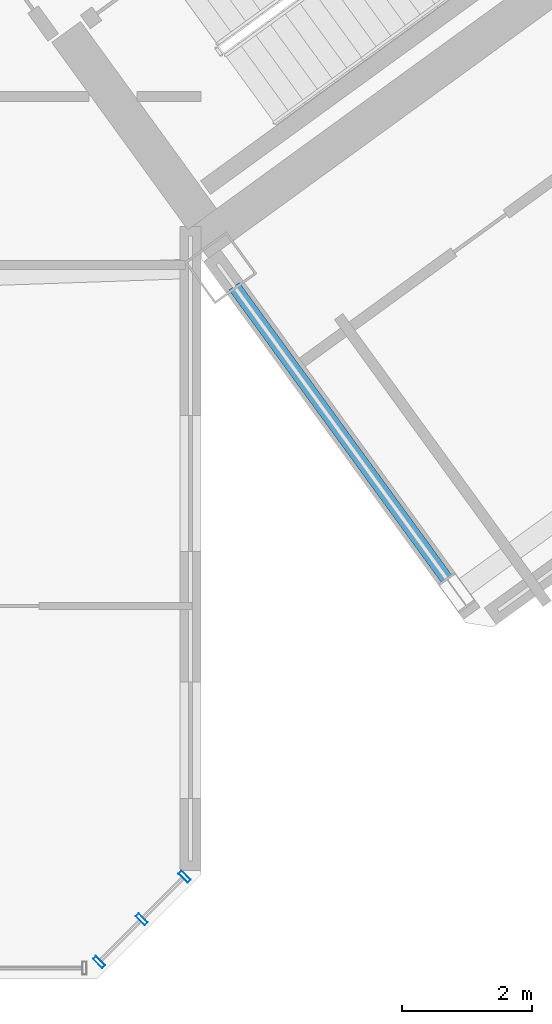
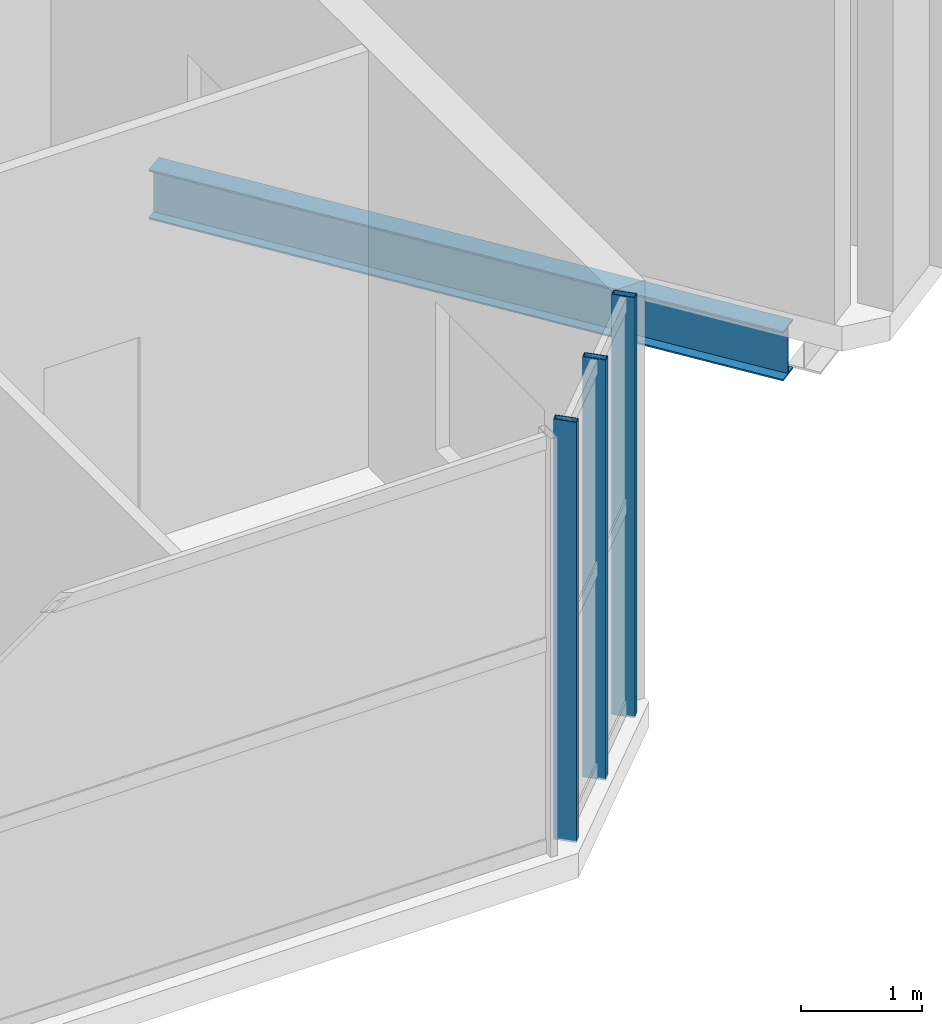
# One storey, part 10 of 34: 3 members, 1 beam, 1 element without a shape of its own.
"""IFC4 building model written with IfcOpenShell, lengths in metres."""

import ifcopenshell
import ifcopenshell.guid

model = None  # the IFC model being written
_history = None  # IfcOwnerHistory: only IFC2X3 demands one
_inside = {}  # id of a spatial element -> (the spatial element, [elements in it])
_under = {}  # id of a project, library or spatial element -> (it, [spatial elements below it])
_declared = {}  # id of a project -> (the project, [libraries it declares])
_typed = {}  # id of a type object -> (the type object, [elements of that type])
_made_of = {}  # id of a material, layer set ... -> (it, [elements and type objects made of it])


def new_model(schema):
    """Start an empty IFC model of exactly this schema.

    Asked for "IFC4X3", IfcOpenShell would pick the latest addendum, in which some entities
    have other attributes; the version numbers below select the first issue.
    IFC2X3 requires an IfcOwnerHistory on every rooted entity: one is made here for all.
    """
    global model, _history
    if schema == "IFC4X3":
        model = ifcopenshell.file(schema_version=(4, 3, 0, 0))
    else:
        model = ifcopenshell.file(schema=schema)
    _inside.clear()
    _under.clear()
    _declared.clear()
    _typed.clear()
    _made_of.clear()
    _history = None
    if model.schema == "IFC2X3":
        org = make("IfcOrganization", Name="unknown")
        user = make(
            "IfcPersonAndOrganization",
            ThePerson=make("IfcPerson", FamilyName="unknown"),
            TheOrganization=org,
        )
        app = make(
            "IfcApplication",
            ApplicationDeveloper=org,
            Version="unknown",
            ApplicationFullName="unknown",
            ApplicationIdentifier="unknown",
        )
        _history = make(
            "IfcOwnerHistory",
            OwningUser=user,
            OwningApplication=app,
            ChangeAction="ADDED",
            CreationDate=0,
        )
    return model


def make(cls, **values):
    """One entity of the class cls with the attributes given. An attribute that is None is left unset."""
    return model.create_entity(
        cls, **{name: value for name, value in values.items() if value is not None}
    )


def rooted(cls, **values):
    """An entity with a GlobalId (a new one), such as an element, a storey or a relation."""
    return make(cls, GlobalId=ifcopenshell.guid.new(), OwnerHistory=_history, **values)


def si_unit(unit_type, name, prefix=None):
    """IfcSIUnit, for example si_unit("LENGTHUNIT", "METRE", prefix="MILLI")."""
    return make("IfcSIUnit", UnitType=unit_type, Prefix=prefix, Name=name)


def assignment(units):
    """IfcUnitAssignment: the units of a project."""
    return None if units is None else make("IfcUnitAssignment", Units=units)


def point(xyz):
    """IfcCartesianPoint."""
    return None if xyz is None else make("IfcCartesianPoint", Coordinates=xyz)


def direction(xyz):
    """IfcDirection."""
    return None if xyz is None else make("IfcDirection", DirectionRatios=xyz)


def frame(location, z_axis=None, x_axis=None):
    """IfcAxis2Placement3D, a coordinate frame: its origin and axes. An axis left out is left unset."""
    return make(
        "IfcAxis2Placement3D",
        Location=point(location),
        Axis=direction(z_axis),
        RefDirection=direction(x_axis),
    )


def frame_2d(location, x_axis=None):
    """IfcAxis2Placement2D, a coordinate frame in the plane: its origin and x axis."""
    return make(
        "IfcAxis2Placement2D", Location=point(location), RefDirection=direction(x_axis)
    )


def origin():
    """The frame at (0, 0, 0) with its axes left unset."""
    return frame((0.0, 0.0, 0.0))


def origin_2d():
    """The frame at (0, 0) in the plane with its x axis left unset."""
    return frame_2d((0.0, 0.0))


def place(relative_to, where):
    """IfcLocalPlacement: puts the frame where relative to a parent placement (None: the world)."""
    return make(
        "IfcLocalPlacement", PlacementRelTo=relative_to, RelativePlacement=where
    )


def context(
    kind, dimensions, precision=None, world=None, true_north=None, identifier=None
):
    """IfcGeometricRepresentationContext, for example the 3D "Model" context."""
    return make(
        "IfcGeometricRepresentationContext",
        ContextIdentifier=identifier,
        ContextType=kind,
        CoordinateSpaceDimension=dimensions,
        Precision=precision,
        WorldCoordinateSystem=world,
        TrueNorth=true_north,
    )


def subcontext(parent, identifier, kind, view, scale=None):
    """IfcGeometricRepresentationSubContext, for example "Body" below "Model"."""
    return make(
        "IfcGeometricRepresentationSubContext",
        ContextIdentifier=identifier,
        ContextType=kind,
        ParentContext=parent,
        TargetScale=scale,
        TargetView=view,
    )


def project(units=None, contexts=None):
    """IfcProject with its units and contexts."""
    return rooted(
        "IfcProject",
        Name="project",
        RepresentationContexts=contexts,
        UnitsInContext=assignment(units),
    )


def spatial(cls, under=None, at=None, **own):
    """A site, building, storey or space (cls), placed at a placement, below another one or the project."""
    s = rooted(cls, ObjectPlacement=at, **own)
    if under is not None:
        _under.setdefault(under.id(), (under, []))[1].append(s)
    return s


def profile(cls, at=None, kind="AREA", **sizes):
    """A parametric profile (cls). Its sizes go by their IFC names, for example OverallWidth=200.0."""
    return make(cls, ProfileType=kind, Position=at, **sizes)


def hollow_rectangle(**sizes):
    """IfcRectangleHollowProfileDef."""
    return profile("IfcRectangleHollowProfileDef", **sizes)


def i_section(**sizes):
    """IfcIShapeProfileDef."""
    return profile("IfcIShapeProfileDef", **sizes)


def extrude(swept, where, along, depth):
    """IfcExtrudedAreaSolid: the profile swept, set in the frame where, extruded along a direction by depth."""
    return make(
        "IfcExtrudedAreaSolid",
        SweptArea=swept,
        Position=where,
        ExtrudedDirection=direction(along),
        Depth=depth,
    )


def shape(context_of_items, identifier, shape_type, items):
    """IfcShapeRepresentation: the items that make up one representation, for example the "Body"."""
    return make(
        "IfcShapeRepresentation",
        ContextOfItems=context_of_items,
        RepresentationIdentifier=identifier,
        RepresentationType=shape_type,
        Items=items,
    )


def source(mapping_origin, context_of_items, identifier, shape_type, items):
    """IfcRepresentationMap: a shape defined once, which mapped items show again and again."""
    return make(
        "IfcRepresentationMap",
        MappingOrigin=mapping_origin,
        MappedRepresentation=shape(context_of_items, identifier, shape_type, items),
    )


def transform(
    local_origin,
    x_axis=None,
    y_axis=None,
    z_axis=None,
    scale=None,
    scale2=None,
    scale3=None,
    uniform=True,
):
    """IfcCartesianTransformationOperator3D, or its non-uniform kind. x_axis, y_axis, z_axis: its Axis1, 2, 3."""
    if uniform:
        return make(
            "IfcCartesianTransformationOperator3D",
            Axis1=direction(x_axis),
            Axis2=direction(y_axis),
            LocalOrigin=point(local_origin),
            Scale=scale,
            Axis3=direction(z_axis),
        )
    return make(
        "IfcCartesianTransformationOperator3DnonUniform",
        Axis1=direction(x_axis),
        Axis2=direction(y_axis),
        LocalOrigin=point(local_origin),
        Scale=scale,
        Axis3=direction(z_axis),
        Scale2=scale2,
        Scale3=scale3,
    )


def mapped(mapping_source, mapping_target):
    """IfcMappedItem: shows the shape of a source again, moved by a transform."""
    return make(
        "IfcMappedItem", MappingSource=mapping_source, MappingTarget=mapping_target
    )


def material(Name=None, Category=None):
    """IfcMaterial."""
    return make("IfcMaterial", Name=Name, Category=Category)


def material_profile(
    of_material, cross_section, Name=None, Category=None, Priority=None
):
    """IfcMaterialProfile: a cross section and its material."""
    return make(
        "IfcMaterialProfile",
        Name=Name,
        Material=of_material,
        Profile=cross_section,
        Priority=Priority,
        Category=Category,
    )


def profile_set(profiles, Name=None, composite=None):
    """IfcMaterialProfileSet."""
    return make(
        "IfcMaterialProfileSet",
        Name=Name,
        MaterialProfiles=profiles,
        CompositeProfile=composite,
    )


def made_of(thing, what):
    """Note that an element or type object is made of a material, layer set ...; save() writes the relation."""
    if what is not None:
        _made_of.setdefault(what.id(), (what, []))[1].append(thing)
    return thing


def type_object(cls, material=None, **own):
    """A type object (cls), such as IfcWallType, which elements share."""
    return made_of(rooted(cls, **own), material)


def element(
    cls,
    number,
    at=None,
    inside=None,
    cuts=None,
    type_object=None,
    material=None,
    context=None,
    identifier="Body",
    shape_type=None,
    held_by="IfcProductDefinitionShape",
    body=None,
    shapes=None,
    **own,
):
    """One element of the class cls, such as IfcWall. Its Tag is "e" and its number.

    at: its placement. inside: the storey or other place that contains it. cuts: it is an
    opening in that element (IfcRelVoidsElement). A single representation is given by context,
    identifier, shape_type and body (its items); several are given by shapes. held_by: the class
    of the entity that holds the representations. save() writes the other relations.
    """
    e = rooted(cls, Tag="e%d" % number, ObjectPlacement=at, **own)
    if body is not None:
        shapes = [shape(context, identifier, shape_type, body)]
    if shapes is not None:
        e.Representation = make(held_by, Representations=shapes)
    if inside is not None:
        _inside.setdefault(inside.id(), (inside, []))[1].append(e)
    if cuts is not None:
        rooted(
            "IfcRelVoidsElement", RelatingBuildingElement=cuts, RelatedOpeningElement=e
        )
    if type_object is not None:
        _typed.setdefault(type_object.id(), (type_object, []))[1].append(e)
    return made_of(e, material)


def aggregate(whole, parts):
    """IfcRelAggregates: a whole, such as a stair, and the parts it consists of."""
    return rooted("IfcRelAggregates", RelatingObject=whole, RelatedObjects=parts)


def save(model, path):
    """Write the relations noted so far, then the file.

    IfcRelAggregates (storeys below a building ...), IfcRelContainedInSpatialStructure (elements
    in a storey), IfcRelDefinesByType, IfcRelAssociatesMaterial and IfcRelDeclares: one each for
    every whole, place, type object, material and project.
    """
    for whole, parts in _under.values():
        aggregate(whole, parts)
    for where, things in _inside.values():
        rooted(
            "IfcRelContainedInSpatialStructure",
            RelatedElements=things,
            RelatingStructure=where,
        )
    for kind, things in _typed.values():
        rooted("IfcRelDefinesByType", RelatedObjects=things, RelatingType=kind)
    for what, things in _made_of.values():
        rooted("IfcRelAssociatesMaterial", RelatedObjects=things, RelatingMaterial=what)
    for by, libraries in _declared.values():
        rooted("IfcRelDeclares", RelatingContext=by, RelatedDefinitions=libraries)
    model.write(path)


model = new_model("IFC4")

# Units and contexts
model_context = context("Model", 3, precision=1e-05, world=origin(), true_north=direction((0.0, 1.0)))
body_context = subcontext(model_context, "Body", "Model", "MODEL_VIEW")
ifc_project = project(units=[si_unit("LENGTHUNIT", "METRE"), si_unit("AREAUNIT", "SQUARE_METRE"), si_unit("VOLUMEUNIT", "CUBIC_METRE"), si_unit("PLANEANGLEUNIT", "RADIAN"), si_unit("MASSUNIT", "GRAM", prefix="KILO")], contexts=[model_context])

# Site, building, storey
site_placement = place(None, origin())
site = spatial("IfcSite", under=ifc_project, at=site_placement, CompositionType="ELEMENT")
building_placement = place(site_placement, origin())
building = spatial("IfcBuilding", under=site, at=building_placement, Name="Tlacorven Tower", CompositionType="ELEMENT")
storey_placement = place(building_placement, frame((0.0, 0.0, 174.89990234375)))
storey = spatial("IfcBuildingStorey", under=building, at=storey_placement, Name="L44", CompositionType="ELEMENT", Elevation=174.89990234375)

# Beam
ifc_material_1 = material(Name="Steel S355J2", Category="steel")
ifc_material_profile_1 = material_profile(ifc_material_1, i_section(OverallWidth=0.199951171875, OverallDepth=0.5, WebThickness=0.01025390625, FlangeThickness=0.01611328125, at=origin_2d()), Name="IPE 500")
ifc_profile_set_1 = profile_set([ifc_material_profile_1], Name="Steel S355J2")
beam_type = type_object("IfcBeamType", Name="BM-TWR-500", PredefinedType="BEAM", material=ifc_profile_set_1)
shared_shape_1 = source(origin(), body_context, "Body", "SweptSolid", [
    extrude(i_section(OverallWidth=0.199951171875, OverallDepth=0.5, WebThickness=0.01025390625, FlangeThickness=0.01611328125, at=origin_2d()), origin(), (0.0, 0.0, 1.0), 5.75),
])
beam_placement = place(storey_placement, frame((56.291015625, 7.83837890625, -0.5), z_axis=(-0.587797998499, 0.80900773356, 0.0), x_axis=(-0.80900773356, -0.587797998499, 0.0)))
element("IfcBeam", 1, at=beam_placement, inside=storey, type_object=beam_type, Name="L44 beam BM-L44-ET1-1", PredefinedType="BEAM", context=body_context, shape_type="MappedRepresentation", body=[
    mapped(shared_shape_1, transform((0.0, 0.0, 0.0), scale=1.0)),
])

# Curtain wall, members
ifc_material_2 = material(Name="Dark solar low-E double glazing in aluminium frame", Category="aluminium")
curtain_wall_type = type_object("IfcCurtainWallType", Name="CW-TWR-MID", PredefinedType="USERDEFINED", material=ifc_material_2)
curtain_wall_placement = place(storey_placement, origin())
curtain_wall = element("IfcCurtainWall", 2, at=curtain_wall_placement, inside=storey, type_object=curtain_wall_type, Name="L44 CW-TWR-MID Curtain Wall 202", ObjectType="UNITISED CURTAIN WALL", PredefinedType="USERDEFINED")
ifc_material_3 = material(Name="Aluminium 6063-T6 anodised", Category="aluminium")
ifc_material_profile_2 = material_profile(ifc_material_3, hollow_rectangle(XDim=0.06494140625, YDim=0.199951171875, WallThickness=0.00439453125, at=origin_2d()), Name="ALU MULLION 65X200")
ifc_profile_set_2 = profile_set([ifc_material_profile_2], Name="Aluminium 6063-T6 anodised")
member_type = type_object("IfcMemberType", Name="CWM-02", PredefinedType="MULLION", material=ifc_profile_set_2)
shared_shape_2 = source(origin(), body_context, "Body", "SweptSolid", [
    extrude(hollow_rectangle(XDim=0.06494140625, YDim=0.199951171875, WallThickness=0.00439453125, at=origin_2d()), origin(), (0.0, 0.0, 1.0), 4.25),
])
member_1_placement = place(storey_placement, frame((52.146240234375, 3.37255859375, -0.02001953125), z_axis=(0.0, 0.0, 1.0), x_axis=(-0.707106781187, -0.707106781187, 0.0)))
member_1 = element("IfcMember", 3, at=member_1_placement, type_object=member_type, Name="CW-L44-202 Mullion 1", PredefinedType="MULLION", context=body_context, shape_type="MappedRepresentation", body=[
    mapped(shared_shape_2, transform((0.0, 0.0, 0.0), scale=1.0)),
])
member_2_placement = place(storey_placement, frame((51.48681640625, 2.713134765625, -0.02001953125), z_axis=(0.0, 0.0, 1.0), x_axis=(-0.707106781187, -0.707106781187, 0.0)))
member_2 = element("IfcMember", 4, at=member_2_placement, type_object=member_type, Name="CW-L44-202 Mullion 2", PredefinedType="MULLION", context=body_context, shape_type="MappedRepresentation", body=[
    mapped(shared_shape_2, transform((0.0, 0.0, 0.0), scale=1.0)),
])
member_3_placement = place(storey_placement, frame((50.827392578125, 2.0537109375, -0.02001953125), z_axis=(0.0, 0.0, 1.0), x_axis=(-0.707106781187, -0.707106781187, 0.0)))
member_3 = element("IfcMember", 5, at=member_3_placement, type_object=member_type, Name="CW-L44-202 Mullion 3", PredefinedType="MULLION", context=body_context, shape_type="MappedRepresentation", body=[
    mapped(shared_shape_2, transform((0.0, 0.0, 0.0), scale=1.0)),
])
aggregate(curtain_wall, [member_1, member_2, member_3])

save(model, "model.ifc")
